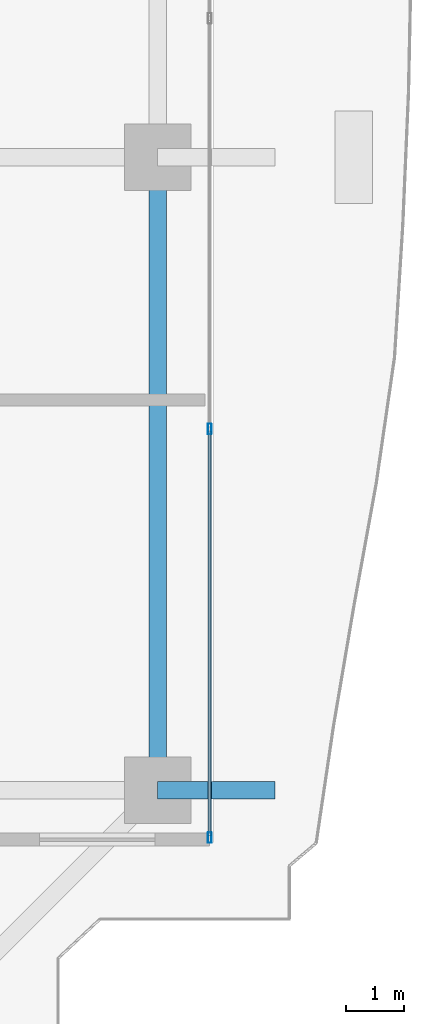
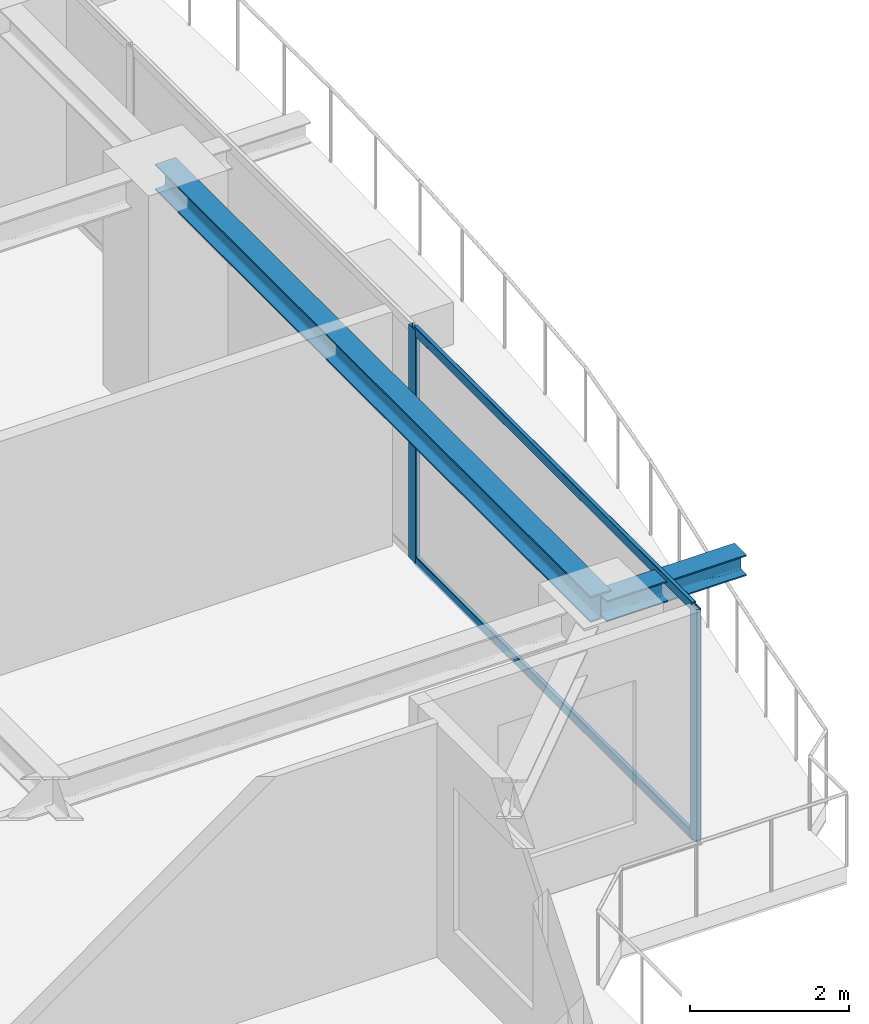
# One storey, part 13 of 37: 4 members, 2 beams, 1 element without a shape of its own.
"""IFC4 building model written with IfcOpenShell, lengths in metres."""

from ifc_helpers import new_model, si_unit, direction, frame, origin, origin_2d, place, context, subcontext, project, spatial, hollow_rectangle, i_section, extrude, source, transform, mapped, material, layer, layer_set, material_profile, profile_set, type_object, element, aggregate, save


model = new_model("IFC4")

# Units and contexts
model_context = context("Model", 3, precision=1e-05, world=origin(), true_north=direction((0.0, 1.0)))
body_context = subcontext(model_context, "Body", "Model", "MODEL_VIEW")
ifc_project = project(units=[si_unit("LENGTHUNIT", "METRE"), si_unit("AREAUNIT", "SQUARE_METRE"), si_unit("VOLUMEUNIT", "CUBIC_METRE"), si_unit("PLANEANGLEUNIT", "RADIAN"), si_unit("MASSUNIT", "GRAM", prefix="KILO")], contexts=[model_context])

# Site, building, storey
site_placement = place(None, origin())
site = spatial("IfcSite", under=ifc_project, at=site_placement, CompositionType="ELEMENT")
building_placement = place(site_placement, origin())
building = spatial("IfcBuilding", under=site, at=building_placement, Name="Serunith Strait Residences", CompositionType="ELEMENT")
storey_placement = place(building_placement, frame((0.0, 0.0, 279.75)))
storey = spatial("IfcBuildingStorey", under=building, at=storey_placement, Name="L70", CompositionType="ELEMENT", Elevation=279.75)

# Beams
ifc_material_1 = material(Name="Steel S355J2", Category="steel")
ifc_material_profile_1 = material_profile(ifc_material_1, i_section(OverallWidth=0.300048828125, OverallDepth=0.39990234375, WebThickness=0.013427734375, FlangeThickness=0.02392578125, FilletRadius=0.027099609375, at=origin_2d()), Name="HEB 400")
ifc_profile_set_1 = profile_set([ifc_material_profile_1], Name="Steel S355J2")
beam_type_1 = type_object("IfcBeamType", Name="BM-HEB400", PredefinedType="BEAM", material=ifc_profile_set_1)
shared_shape_1 = source(origin(), body_context, "Body", "SweptSolid", [
    extrude(i_section(OverallWidth=0.300048828125, OverallDepth=0.39990234375, WebThickness=0.013427734375, FlangeThickness=0.02392578125, FilletRadius=0.027099609375, at=origin_2d()), origin(), (0.0, 0.0, 1.0), 10.949951171875),
])
beam_1_placement = place(storey_placement, frame((56.5, 10.050048828125, 3.386962890625), z_axis=(0.0, 1.0, 0.0), x_axis=(-1.0, 0.0, 0.0)))
element("IfcBeam", 1, at=beam_1_placement, inside=storey, type_object=beam_type_1, Name="L70 Perimeter Ring Beam 05", PredefinedType="BEAM", context=body_context, shape_type="MappedRepresentation", body=[
    mapped(shared_shape_1, transform((0.0, 0.0, 0.0), scale=1.0)),
])
ifc_material_profile_2 = material_profile(ifc_material_1, i_section(OverallWidth=0.300048828125, OverallDepth=0.320068359375, WebThickness=0.011474609375, FlangeThickness=0.0205078125, FilletRadius=0.027099609375, at=origin_2d()), Name="HEB 320")
ifc_profile_set_2 = profile_set([ifc_material_profile_2], Name="Steel S355J2")
beam_type_2 = type_object("IfcBeamType", Name="BM-HEB320", PredefinedType="BEAM", material=ifc_profile_set_2)
shared_shape_2 = source(origin(), body_context, "Body", "SweptSolid", [
    extrude(i_section(OverallWidth=0.300048828125, OverallDepth=0.320068359375, WebThickness=0.011474609375, FlangeThickness=0.0205078125, FilletRadius=0.027099609375, at=origin_2d()), origin(), (0.0, 0.0, 1.0), 2.030029296875),
])
beam_2_placement = place(storey_placement, frame((56.5, 10.050048828125, 3.39697265625), z_axis=(1.0, 0.0, 0.0), x_axis=(0.0, 1.0, 0.0)))
element("IfcBeam", 2, at=beam_2_placement, inside=storey, type_object=beam_type_2, Name="L71 Cantilevered Balcony Rib TC-E1", PredefinedType="BEAM", context=body_context, shape_type="MappedRepresentation", body=[
    mapped(shared_shape_2, transform((0.0, 0.0, 0.0), scale=1.0)),
])

# Curtain wall, members
ifc_material_2 = material(Name="Pale-Champagne Anodised Aluminium", Category="aluminium")
ifc_layer = layer(ifc_material_2, 0.199951171875, Name="Pale-Champagne Anodised Aluminium")
ifc_layer_set = layer_set([ifc_layer], Name="Pale-Champagne Anodised Aluminium")
curtain_wall_type = type_object("IfcCurtainWallType", Name="CW-SYS4", PredefinedType="NOTDEFINED", material=ifc_layer_set)
curtain_wall_placement = place(storey_placement, origin())
curtain_wall = element("IfcCurtainWall", 3, at=curtain_wall_placement, inside=storey, type_object=curtain_wall_type, Name="L70 E Unitised Fritted Curtain Wall", PredefinedType="NOTDEFINED")
ifc_material_profile_3 = material_profile(ifc_material_2, hollow_rectangle(XDim=0.06494140625, YDim=0.179931640625, WallThickness=0.00341796875, InnerFilletRadius=0.00537109375, OuterFilletRadius=0.0087890625, at=origin_2d()), Name="ALU 180x65x3.5")
ifc_profile_set_3 = profile_set([ifc_material_profile_3], Name="Pale-Champagne Anodised Aluminium")
member_type_1 = type_object("IfcMemberType", Name="CW-SYS4-MULL", PredefinedType="MULLION", material=ifc_profile_set_3)
shared_shape_3 = source(origin(), body_context, "Body", "SweptSolid", [
    extrude(hollow_rectangle(XDim=0.06494140625, YDim=0.179931640625, WallThickness=0.00341796875, InnerFilletRadius=0.00537109375, OuterFilletRadius=0.0087890625, at=origin_2d()), origin(), (0.0, 0.0, 1.0), 3.574951171875),
])
member_1_placement = place(storey_placement, frame((57.39990234375, 9.232421875, 0.0), z_axis=(0.0, 0.0, 1.0), x_axis=(-1.0, 0.0, 0.0)))
member_1 = element("IfcMember", 4, at=member_1_placement, type_object=member_type_1, Name="CW-4 mullion 1", PredefinedType="MULLION", context=body_context, shape_type="MappedRepresentation", body=[
    mapped(shared_shape_3, transform((0.0, 0.0, 0.0), scale=1.0)),
])
member_2_placement = place(storey_placement, frame((57.39990234375, 16.300048828125, 0.0), z_axis=(0.0, 0.0, 1.0), x_axis=(-1.0, 0.0, 0.0)))
member_2 = element("IfcMember", 5, at=member_2_placement, type_object=member_type_1, Name="CW-4 mullion 2", PredefinedType="MULLION", context=body_context, shape_type="MappedRepresentation", body=[
    mapped(shared_shape_3, transform((0.0, 0.0, 0.0), scale=1.0)),
])
ifc_material_profile_4 = material_profile(ifc_material_2, hollow_rectangle(XDim=0.06005859375, YDim=0.139892578125, WallThickness=0.00341796875, InnerFilletRadius=0.00537109375, OuterFilletRadius=0.0087890625, at=origin_2d()), Name="ALU 140x60x3.5")
ifc_profile_set_4 = profile_set([ifc_material_profile_4], Name="Pale-Champagne Anodised Aluminium")
member_type_2 = type_object("IfcMemberType", Name="CW-SYS4-TRAN", PredefinedType="USERDEFINED", material=ifc_profile_set_4)
shared_shape_4 = source(origin(), body_context, "Body", "SweptSolid", [
    extrude(hollow_rectangle(XDim=0.06005859375, YDim=0.139892578125, WallThickness=0.00341796875, InnerFilletRadius=0.00537109375, OuterFilletRadius=0.0087890625, at=origin_2d()), origin(), (0.0, 0.0, 1.0), 7.002685546875),
])
member_3_placement = place(storey_placement, frame((57.39990234375, 9.264892578125, 0.030029296875), z_axis=(0.0, 1.0, 0.0), x_axis=(-1.0, 0.0, 0.0)))
member_3 = element("IfcMember", 6, at=member_3_placement, type_object=member_type_2, Name="CW-4 transom 1.1", ObjectType="TRANSOM", PredefinedType="USERDEFINED", context=body_context, shape_type="MappedRepresentation", body=[
    mapped(shared_shape_4, transform((0.0, 0.0, 0.0), scale=1.0)),
])
member_4_placement = place(storey_placement, frame((57.39990234375, 9.264892578125, 3.544921875), z_axis=(0.0, 1.0, 0.0), x_axis=(-1.0, 0.0, 0.0)))
member_4 = element("IfcMember", 7, at=member_4_placement, type_object=member_type_2, Name="CW-4 transom 1.2", ObjectType="TRANSOM", PredefinedType="USERDEFINED", context=body_context, shape_type="MappedRepresentation", body=[
    mapped(shared_shape_4, transform((0.0, 0.0, 0.0), scale=1.0)),
])
aggregate(curtain_wall, [member_1, member_2, member_3, member_4])

save(model, "model.ifc")
